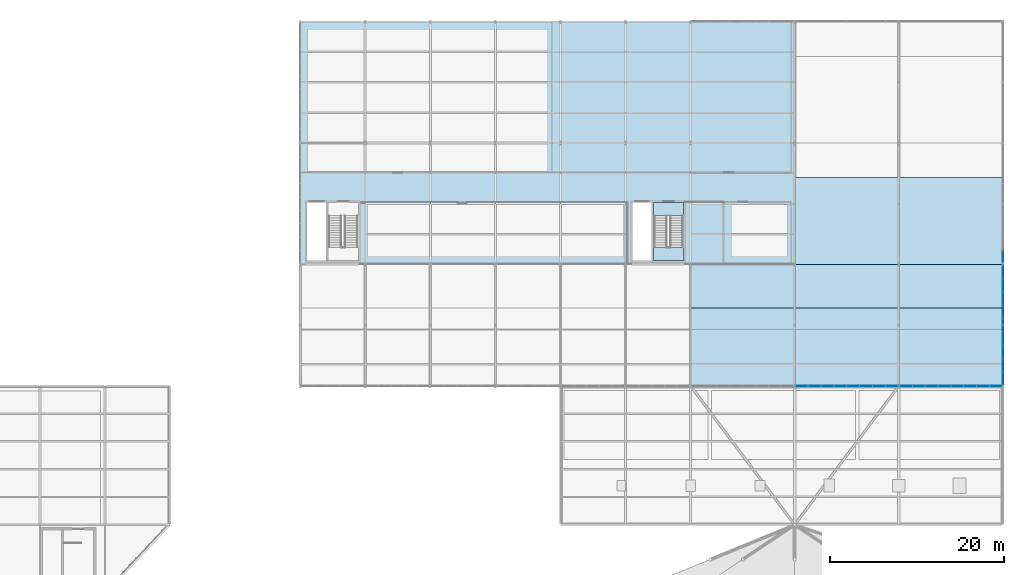
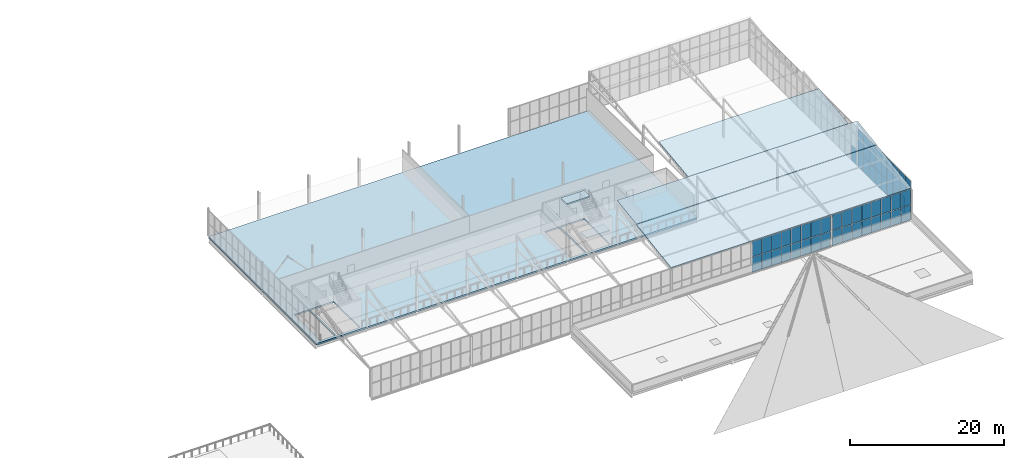
# One storey, part 89 of 104: 61 plates, 5 slabs, 5 elements without a shape of their own.
"""IFC4 building model written with IfcOpenShell, lengths in metres."""

from ifc_helpers import new_model, si_unit, direction, frame, origin, origin_2d, place, context, subcontext, project, spatial, polyline, rectangle, outline, extrude, material, layer, layer_set, type_object, element, aggregate, save


model = new_model("IFC4")

# Units and contexts
model_context = context("Model", 3, precision=1e-05, world=origin(), true_north=direction((0.0, 1.0)))
body_context = subcontext(model_context, "Body", "Model", "MODEL_VIEW")
ifc_project = project(units=[si_unit("LENGTHUNIT", "METRE"), si_unit("AREAUNIT", "SQUARE_METRE"), si_unit("VOLUMEUNIT", "CUBIC_METRE"), si_unit("PLANEANGLEUNIT", "RADIAN"), si_unit("MASSUNIT", "GRAM", prefix="KILO")], contexts=[model_context])

# Site, building, storey
site_placement = place(None, origin())
site = spatial("IfcSite", under=ifc_project, at=site_placement, CompositionType="ELEMENT")
building_placement = place(site_placement, origin())
building = spatial("IfcBuilding", under=site, at=building_placement, Name="Solvenia Promenade Tram Depot", CompositionType="ELEMENT")
storey_placement = place(building_placement, frame((0.0, 0.0, 9.0)))
storey = spatial("IfcBuildingStorey", under=building, at=storey_placement, Name="L02", CompositionType="ELEMENT", Elevation=9.0)

# Curtain wall, plates
ifc_material_1 = material(Name="Anodized aluminium AW-6063 T6", Category="aluminium")
ifc_layer_1 = layer(ifc_material_1, 0.080078125, Name="Anodized aluminium AW-6063 T6", Category="aluminium")
ifc_layer_set_1 = layer_set([ifc_layer_1], Name="Anodized aluminium AW-6063 T6")
curtain_wall_type = type_object("IfcCurtainWallType", Name="CW-Clerest-1500", PredefinedType="NOTDEFINED", material=ifc_layer_set_1)
curtain_wall_1_placement = place(storey_placement, origin())
curtain_wall_1 = element("IfcCurtainWall", 1, at=curtain_wall_1_placement, inside=storey, type_object=curtain_wall_type, Name="Curtain Wall CW-V2S-L2-08", PredefinedType="NOTDEFINED")
ifc_material_2 = material(Name="Double low-e argon insulated glass", Category="glass")
ifc_layer_2 = layer(ifc_material_2, 0.031982421875, Name="Double low-e argon insulated glass", Category="glass")
ifc_layer_set_2 = layer_set([ifc_layer_2], Name="Double low-e argon insulated glass")
plate_type_1 = type_object("IfcPlateType", Name="CWP-Panel-2", PredefinedType="CURTAIN_PANEL", material=ifc_layer_set_2)
plate_1_placement = place(storey_placement, frame((162.833740234375, 24.0, -0.244873046875), z_axis=(0.0, 0.0, 1.0), x_axis=(1.0, 0.0, 0.0)))
plate_1 = element("IfcPlate", 2, at=plate_1_placement, type_object=plate_type_1, Name="CW-4 panel 1.1", PredefinedType="CURTAIN_PANEL", context=body_context, shape_type="SweptSolid", body=[
    extrude(rectangle(XDim=1.3974609375, YDim=0.031982421875, at=origin_2d()), origin(), (0.0, 0.0, 1.0), 2.41748046875),
])
plate_2_placement = place(storey_placement, frame((162.833740234375, 24.0, 2.2275390625), z_axis=(0.0, 0.0, 1.0), x_axis=(1.0, 0.0, 0.0)))
plate_2 = element("IfcPlate", 3, at=plate_2_placement, type_object=plate_type_1, Name="CW-4 panel 1.2", PredefinedType="CURTAIN_PANEL", context=body_context, shape_type="SweptSolid", body=[
    extrude(rectangle(XDim=1.3974609375, YDim=0.031982421875, at=origin_2d()), origin(), (0.0, 0.0, 1.0), 2.41748046875),
])
plate_3_placement = place(storey_placement, frame((164.300048828125, 24.0, -0.244873046875), z_axis=(0.0, 0.0, 1.0), x_axis=(1.0, 0.0, 0.0)))
plate_3 = element("IfcPlate", 4, at=plate_3_placement, type_object=plate_type_1, Name="CW-4 panel 2.1", PredefinedType="CURTAIN_PANEL", context=body_context, shape_type="SweptSolid", body=[
    extrude(rectangle(XDim=1.425048828125, YDim=0.031982421875, at=origin_2d()), origin(), (0.0, 0.0, 1.0), 2.41748046875),
])
plate_4_placement = place(storey_placement, frame((164.300048828125, 24.0, 2.2275390625), z_axis=(0.0, 0.0, 1.0), x_axis=(1.0, 0.0, 0.0)))
plate_4 = element("IfcPlate", 5, at=plate_4_placement, type_object=plate_type_1, Name="CW-4 panel 2.2", PredefinedType="CURTAIN_PANEL", context=body_context, shape_type="SweptSolid", body=[
    extrude(rectangle(XDim=1.425048828125, YDim=0.031982421875, at=origin_2d()), origin(), (0.0, 0.0, 1.0), 2.41748046875),
])
plate_5_placement = place(storey_placement, frame((165.780029296875, 24.0, -0.244873046875), z_axis=(0.0, 0.0, 1.0), x_axis=(1.0, 0.0, 0.0)))
plate_5 = element("IfcPlate", 6, at=plate_5_placement, type_object=plate_type_1, Name="CW-4 panel 3.1", PredefinedType="CURTAIN_PANEL", context=body_context, shape_type="SweptSolid", body=[
    extrude(rectangle(XDim=1.425048828125, YDim=0.031982421875, at=origin_2d()), origin(), (0.0, 0.0, 1.0), 2.41748046875),
])
plate_6_placement = place(storey_placement, frame((165.780029296875, 24.0, 2.2275390625), z_axis=(0.0, 0.0, 1.0), x_axis=(1.0, 0.0, 0.0)))
plate_6 = element("IfcPlate", 7, at=plate_6_placement, type_object=plate_type_1, Name="CW-4 panel 3.2", PredefinedType="CURTAIN_PANEL", context=body_context, shape_type="SweptSolid", body=[
    extrude(rectangle(XDim=1.425048828125, YDim=0.031982421875, at=origin_2d()), origin(), (0.0, 0.0, 1.0), 2.41748046875),
])
plate_7_placement = place(storey_placement, frame((167.260009765625, 24.0, -0.244873046875), z_axis=(0.0, 0.0, 1.0), x_axis=(1.0, 0.0, 0.0)))
plate_7 = element("IfcPlate", 8, at=plate_7_placement, type_object=plate_type_1, Name="CW-4 panel 4.1", PredefinedType="CURTAIN_PANEL", context=body_context, shape_type="SweptSolid", body=[
    extrude(rectangle(XDim=1.425048828125, YDim=0.031982421875, at=origin_2d()), origin(), (0.0, 0.0, 1.0), 2.41748046875),
])
plate_8_placement = place(storey_placement, frame((167.260009765625, 24.0, 2.2275390625), z_axis=(0.0, 0.0, 1.0), x_axis=(1.0, 0.0, 0.0)))
plate_8 = element("IfcPlate", 9, at=plate_8_placement, type_object=plate_type_1, Name="CW-4 panel 4.2", PredefinedType="CURTAIN_PANEL", context=body_context, shape_type="SweptSolid", body=[
    extrude(rectangle(XDim=1.425048828125, YDim=0.031982421875, at=origin_2d()), origin(), (0.0, 0.0, 1.0), 2.41748046875),
])
plate_9_placement = place(storey_placement, frame((168.739990234375, 24.0, -0.244873046875), z_axis=(0.0, 0.0, 1.0), x_axis=(1.0, 0.0, 0.0)))
plate_9 = element("IfcPlate", 10, at=plate_9_placement, type_object=plate_type_1, Name="CW-4 panel 5.1", PredefinedType="CURTAIN_PANEL", context=body_context, shape_type="SweptSolid", body=[
    extrude(rectangle(XDim=1.425048828125, YDim=0.031982421875, at=origin_2d()), origin(), (0.0, 0.0, 1.0), 2.41748046875),
])
plate_10_placement = place(storey_placement, frame((168.739990234375, 24.0, 2.2275390625), z_axis=(0.0, 0.0, 1.0), x_axis=(1.0, 0.0, 0.0)))
plate_10 = element("IfcPlate", 11, at=plate_10_placement, type_object=plate_type_1, Name="CW-4 panel 5.2", PredefinedType="CURTAIN_PANEL", context=body_context, shape_type="SweptSolid", body=[
    extrude(rectangle(XDim=1.425048828125, YDim=0.031982421875, at=origin_2d()), origin(), (0.0, 0.0, 1.0), 2.41748046875),
])
plate_11_placement = place(storey_placement, frame((170.219970703125, 24.0, -0.244873046875), z_axis=(0.0, 0.0, 1.0), x_axis=(1.0, 0.0, 0.0)))
plate_11 = element("IfcPlate", 12, at=plate_11_placement, type_object=plate_type_1, Name="CW-4 panel 6.1", PredefinedType="CURTAIN_PANEL", context=body_context, shape_type="SweptSolid", body=[
    extrude(rectangle(XDim=1.425048828125, YDim=0.031982421875, at=origin_2d()), origin(), (0.0, 0.0, 1.0), 2.41748046875),
])
plate_12_placement = place(storey_placement, frame((170.219970703125, 24.0, 2.2275390625), z_axis=(0.0, 0.0, 1.0), x_axis=(1.0, 0.0, 0.0)))
plate_12 = element("IfcPlate", 13, at=plate_12_placement, type_object=plate_type_1, Name="CW-4 panel 6.2", PredefinedType="CURTAIN_PANEL", context=body_context, shape_type="SweptSolid", body=[
    extrude(rectangle(XDim=1.425048828125, YDim=0.031982421875, at=origin_2d()), origin(), (0.0, 0.0, 1.0), 2.41748046875),
])
plate_13_placement = place(storey_placement, frame((171.699951171875, 24.0, -0.244873046875), z_axis=(0.0, 0.0, 1.0), x_axis=(1.0, 0.0, 0.0)))
plate_13 = element("IfcPlate", 14, at=plate_13_placement, type_object=plate_type_1, Name="CW-4 panel 7.1", PredefinedType="CURTAIN_PANEL", context=body_context, shape_type="SweptSolid", body=[
    extrude(rectangle(XDim=1.425048828125, YDim=0.031982421875, at=origin_2d()), origin(), (0.0, 0.0, 1.0), 2.41748046875),
])
plate_14_placement = place(storey_placement, frame((171.699951171875, 24.0, 2.2275390625), z_axis=(0.0, 0.0, 1.0), x_axis=(1.0, 0.0, 0.0)))
plate_14 = element("IfcPlate", 15, at=plate_14_placement, type_object=plate_type_1, Name="CW-4 panel 7.2", PredefinedType="CURTAIN_PANEL", context=body_context, shape_type="SweptSolid", body=[
    extrude(rectangle(XDim=1.425048828125, YDim=0.031982421875, at=origin_2d()), origin(), (0.0, 0.0, 1.0), 2.41748046875),
])
plate_15_placement = place(storey_placement, frame((173.166259765625, 24.0, -0.244873046875), z_axis=(0.0, 0.0, 1.0), x_axis=(1.0, 0.0, 0.0)))
plate_15 = element("IfcPlate", 16, at=plate_15_placement, type_object=plate_type_1, Name="CW-4 panel 8.1", PredefinedType="CURTAIN_PANEL", context=body_context, shape_type="SweptSolid", body=[
    extrude(rectangle(XDim=1.3974609375, YDim=0.031982421875, at=origin_2d()), origin(), (0.0, 0.0, 1.0), 2.41748046875),
])
plate_16_placement = place(storey_placement, frame((173.166259765625, 24.0, 2.2275390625), z_axis=(0.0, 0.0, 1.0), x_axis=(1.0, 0.0, 0.0)))
plate_16 = element("IfcPlate", 17, at=plate_16_placement, type_object=plate_type_1, Name="CW-4 panel 8.2", PredefinedType="CURTAIN_PANEL", context=body_context, shape_type="SweptSolid", body=[
    extrude(rectangle(XDim=1.3974609375, YDim=0.031982421875, at=origin_2d()), origin(), (0.0, 0.0, 1.0), 2.41748046875),
])
aggregate(curtain_wall_1, [plate_1, plate_2, plate_3, plate_4, plate_5, plate_6, plate_7, plate_8, plate_9, plate_10, plate_11, plate_12, plate_13, plate_14, plate_15, plate_16])

curtain_wall_2_placement = place(storey_placement, origin())
curtain_wall_2 = element("IfcCurtainWall", 18, at=curtain_wall_2_placement, inside=storey, type_object=curtain_wall_type, Name="Curtain Wall CW-V2S-L2-09", PredefinedType="NOTDEFINED")
plate_17_placement = place(storey_placement, frame((174.833740234375, 24.0, -0.244873046875), z_axis=(0.0, 0.0, 1.0), x_axis=(1.0, 0.0, 0.0)))
plate_17 = element("IfcPlate", 19, at=plate_17_placement, type_object=plate_type_1, Name="CW-4 panel 1.1", PredefinedType="CURTAIN_PANEL", context=body_context, shape_type="SweptSolid", body=[
    extrude(rectangle(XDim=1.3974609375, YDim=0.031982421875, at=origin_2d()), origin(), (0.0, 0.0, 1.0), 2.41748046875),
])
plate_18_placement = place(storey_placement, frame((174.833740234375, 24.0, 2.2275390625), z_axis=(0.0, 0.0, 1.0), x_axis=(1.0, 0.0, 0.0)))
plate_18 = element("IfcPlate", 20, at=plate_18_placement, type_object=plate_type_1, Name="CW-4 panel 1.2", PredefinedType="CURTAIN_PANEL", context=body_context, shape_type="SweptSolid", body=[
    extrude(rectangle(XDim=1.3974609375, YDim=0.031982421875, at=origin_2d()), origin(), (0.0, 0.0, 1.0), 2.41748046875),
])
plate_19_placement = place(storey_placement, frame((176.300048828125, 24.0, -0.244873046875), z_axis=(0.0, 0.0, 1.0), x_axis=(1.0, 0.0, 0.0)))
plate_19 = element("IfcPlate", 21, at=plate_19_placement, type_object=plate_type_1, Name="CW-4 panel 2.1", PredefinedType="CURTAIN_PANEL", context=body_context, shape_type="SweptSolid", body=[
    extrude(rectangle(XDim=1.425048828125, YDim=0.031982421875, at=origin_2d()), origin(), (0.0, 0.0, 1.0), 2.41748046875),
])
plate_20_placement = place(storey_placement, frame((176.300048828125, 24.0, 2.2275390625), z_axis=(0.0, 0.0, 1.0), x_axis=(1.0, 0.0, 0.0)))
plate_20 = element("IfcPlate", 22, at=plate_20_placement, type_object=plate_type_1, Name="CW-4 panel 2.2", PredefinedType="CURTAIN_PANEL", context=body_context, shape_type="SweptSolid", body=[
    extrude(rectangle(XDim=1.425048828125, YDim=0.031982421875, at=origin_2d()), origin(), (0.0, 0.0, 1.0), 2.41748046875),
])
plate_21_placement = place(storey_placement, frame((177.780029296875, 24.0, -0.244873046875), z_axis=(0.0, 0.0, 1.0), x_axis=(1.0, 0.0, 0.0)))
plate_21 = element("IfcPlate", 23, at=plate_21_placement, type_object=plate_type_1, Name="CW-4 panel 3.1", PredefinedType="CURTAIN_PANEL", context=body_context, shape_type="SweptSolid", body=[
    extrude(rectangle(XDim=1.425048828125, YDim=0.031982421875, at=origin_2d()), origin(), (0.0, 0.0, 1.0), 2.41748046875),
])
plate_22_placement = place(storey_placement, frame((177.780029296875, 24.0, 2.2275390625), z_axis=(0.0, 0.0, 1.0), x_axis=(1.0, 0.0, 0.0)))
plate_22 = element("IfcPlate", 24, at=plate_22_placement, type_object=plate_type_1, Name="CW-4 panel 3.2", PredefinedType="CURTAIN_PANEL", context=body_context, shape_type="SweptSolid", body=[
    extrude(rectangle(XDim=1.425048828125, YDim=0.031982421875, at=origin_2d()), origin(), (0.0, 0.0, 1.0), 2.41748046875),
])
plate_23_placement = place(storey_placement, frame((179.260009765625, 24.0, -0.244873046875), z_axis=(0.0, 0.0, 1.0), x_axis=(1.0, 0.0, 0.0)))
plate_23 = element("IfcPlate", 25, at=plate_23_placement, type_object=plate_type_1, Name="CW-4 panel 4.1", PredefinedType="CURTAIN_PANEL", context=body_context, shape_type="SweptSolid", body=[
    extrude(rectangle(XDim=1.425048828125, YDim=0.031982421875, at=origin_2d()), origin(), (0.0, 0.0, 1.0), 2.41748046875),
])
plate_24_placement = place(storey_placement, frame((179.260009765625, 24.0, 2.2275390625), z_axis=(0.0, 0.0, 1.0), x_axis=(1.0, 0.0, 0.0)))
plate_24 = element("IfcPlate", 26, at=plate_24_placement, type_object=plate_type_1, Name="CW-4 panel 4.2", PredefinedType="CURTAIN_PANEL", context=body_context, shape_type="SweptSolid", body=[
    extrude(rectangle(XDim=1.425048828125, YDim=0.031982421875, at=origin_2d()), origin(), (0.0, 0.0, 1.0), 2.41748046875),
])
plate_25_placement = place(storey_placement, frame((180.739990234375, 24.0, -0.244873046875), z_axis=(0.0, 0.0, 1.0), x_axis=(1.0, 0.0, 0.0)))
plate_25 = element("IfcPlate", 27, at=plate_25_placement, type_object=plate_type_1, Name="CW-4 panel 5.1", PredefinedType="CURTAIN_PANEL", context=body_context, shape_type="SweptSolid", body=[
    extrude(rectangle(XDim=1.425048828125, YDim=0.031982421875, at=origin_2d()), origin(), (0.0, 0.0, 1.0), 2.41748046875),
])
plate_26_placement = place(storey_placement, frame((180.739990234375, 24.0, 2.2275390625), z_axis=(0.0, 0.0, 1.0), x_axis=(1.0, 0.0, 0.0)))
plate_26 = element("IfcPlate", 28, at=plate_26_placement, type_object=plate_type_1, Name="CW-4 panel 5.2", PredefinedType="CURTAIN_PANEL", context=body_context, shape_type="SweptSolid", body=[
    extrude(rectangle(XDim=1.425048828125, YDim=0.031982421875, at=origin_2d()), origin(), (0.0, 0.0, 1.0), 2.41748046875),
])
plate_27_placement = place(storey_placement, frame((182.219970703125, 24.0, -0.244873046875), z_axis=(0.0, 0.0, 1.0), x_axis=(1.0, 0.0, 0.0)))
plate_27 = element("IfcPlate", 29, at=plate_27_placement, type_object=plate_type_1, Name="CW-4 panel 6.1", PredefinedType="CURTAIN_PANEL", context=body_context, shape_type="SweptSolid", body=[
    extrude(rectangle(XDim=1.425048828125, YDim=0.031982421875, at=origin_2d()), origin(), (0.0, 0.0, 1.0), 2.41748046875),
])
plate_28_placement = place(storey_placement, frame((182.219970703125, 24.0, 2.2275390625), z_axis=(0.0, 0.0, 1.0), x_axis=(1.0, 0.0, 0.0)))
plate_28 = element("IfcPlate", 30, at=plate_28_placement, type_object=plate_type_1, Name="CW-4 panel 6.2", PredefinedType="CURTAIN_PANEL", context=body_context, shape_type="SweptSolid", body=[
    extrude(rectangle(XDim=1.425048828125, YDim=0.031982421875, at=origin_2d()), origin(), (0.0, 0.0, 1.0), 2.41748046875),
])
plate_29_placement = place(storey_placement, frame((183.699951171875, 24.0, -0.244873046875), z_axis=(0.0, 0.0, 1.0), x_axis=(1.0, 0.0, 0.0)))
plate_29 = element("IfcPlate", 31, at=plate_29_placement, type_object=plate_type_1, Name="CW-4 panel 7.1", PredefinedType="CURTAIN_PANEL", context=body_context, shape_type="SweptSolid", body=[
    extrude(rectangle(XDim=1.425048828125, YDim=0.031982421875, at=origin_2d()), origin(), (0.0, 0.0, 1.0), 2.41748046875),
])
plate_30_placement = place(storey_placement, frame((183.699951171875, 24.0, 2.2275390625), z_axis=(0.0, 0.0, 1.0), x_axis=(1.0, 0.0, 0.0)))
plate_30 = element("IfcPlate", 32, at=plate_30_placement, type_object=plate_type_1, Name="CW-4 panel 7.2", PredefinedType="CURTAIN_PANEL", context=body_context, shape_type="SweptSolid", body=[
    extrude(rectangle(XDim=1.425048828125, YDim=0.031982421875, at=origin_2d()), origin(), (0.0, 0.0, 1.0), 2.41748046875),
])
plate_31_placement = place(storey_placement, frame((185.166259765625, 24.0, -0.244873046875), z_axis=(0.0, 0.0, 1.0), x_axis=(1.0, 0.0, 0.0)))
plate_31 = element("IfcPlate", 33, at=plate_31_placement, type_object=plate_type_1, Name="CW-4 panel 8.1", PredefinedType="CURTAIN_PANEL", context=body_context, shape_type="SweptSolid", body=[
    extrude(rectangle(XDim=1.3974609375, YDim=0.031982421875, at=origin_2d()), origin(), (0.0, 0.0, 1.0), 2.41748046875),
])
plate_32_placement = place(storey_placement, frame((185.166259765625, 24.0, 2.2275390625), z_axis=(0.0, 0.0, 1.0), x_axis=(1.0, 0.0, 0.0)))
plate_32 = element("IfcPlate", 34, at=plate_32_placement, type_object=plate_type_1, Name="CW-4 panel 8.2", PredefinedType="CURTAIN_PANEL", context=body_context, shape_type="SweptSolid", body=[
    extrude(rectangle(XDim=1.3974609375, YDim=0.031982421875, at=origin_2d()), origin(), (0.0, 0.0, 1.0), 2.41748046875),
])
aggregate(curtain_wall_2, [plate_17, plate_18, plate_19, plate_20, plate_21, plate_22, plate_23, plate_24, plate_25, plate_26, plate_27, plate_28, plate_29, plate_30, plate_31, plate_32])

curtain_wall_3_placement = place(storey_placement, origin())
curtain_wall_3 = element("IfcCurtainWall", 35, at=curtain_wall_3_placement, inside=storey, type_object=curtain_wall_type, Name="Curtain Wall CW-V2E-L2-1", PredefinedType="NOTDEFINED")
plate_33_placement = place(storey_placement, frame((186.0, 24.862548828125, -0.195068359375), z_axis=(0.0, 0.0, 1.0), x_axis=(0.0, 1.0, 0.0)))
plate_33 = element("IfcPlate", 36, at=plate_33_placement, type_object=plate_type_1, Name="CW-4 panel 1.1", PredefinedType="CURTAIN_PANEL", context=body_context, shape_type="SweptSolid", body=[
    extrude(rectangle(XDim=1.455322265625, YDim=0.031982421875, at=origin_2d()), origin(), (0.0, 0.0, 1.0), 2.41748046875),
])
plate_34_placement = place(storey_placement, frame((186.0, 24.862548828125, 2.277587890625), z_axis=(0.0, 0.0, 1.0), x_axis=(0.0, 1.0, 0.0)))
plate_34 = element("IfcPlate", 37, at=plate_34_placement, type_object=plate_type_1, Name="CW-4 panel 1.2", PredefinedType="CURTAIN_PANEL", context=body_context, shape_type="SweptSolid", body=[
    extrude(rectangle(XDim=1.455322265625, YDim=0.031982421875, at=origin_2d()), origin(), (0.0, 0.0, 1.0), 2.14501953125),
])
plate_35_placement = place(storey_placement, frame((186.0, 24.862548828125, 4.4775390625), z_axis=(0.0, 0.0, 1.0), x_axis=(0.0, 1.0, 0.0)))
plate_35 = element("IfcPlate", 38, at=plate_35_placement, type_object=plate_type_1, Name="CW-4 panel 1.3", PredefinedType="CURTAIN_PANEL", context=body_context, shape_type="SweptSolid", body=[
    extrude(rectangle(XDim=1.455322265625, YDim=0.031982421875, at=origin_2d()), origin(), (0.0, 0.0, 1.0), 1.3173828125),
])
plate_36_placement = place(storey_placement, frame((186.0, 26.38671875, -0.195068359375), z_axis=(0.0, 0.0, 1.0), x_axis=(0.0, 1.0, 0.0)))
plate_36 = element("IfcPlate", 39, at=plate_36_placement, type_object=plate_type_1, Name="CW-4 panel 2.1", PredefinedType="CURTAIN_PANEL", context=body_context, shape_type="SweptSolid", body=[
    extrude(rectangle(XDim=1.482666015625, YDim=0.031982421875, at=origin_2d()), origin(), (0.0, 0.0, 1.0), 2.41748046875),
])
plate_37_placement = place(storey_placement, frame((186.0, 26.38671875, 2.277587890625), z_axis=(0.0, 0.0, 1.0), x_axis=(0.0, 1.0, 0.0)))
plate_37 = element("IfcPlate", 40, at=plate_37_placement, type_object=plate_type_1, Name="CW-4 panel 2.2", PredefinedType="CURTAIN_PANEL", context=body_context, shape_type="SweptSolid", body=[
    extrude(rectangle(XDim=1.482666015625, YDim=0.031982421875, at=origin_2d()), origin(), (0.0, 0.0, 1.0), 2.14501953125),
])
plate_38_placement = place(storey_placement, frame((186.0, 26.38671875, 4.4775390625), z_axis=(0.0, 0.0, 1.0), x_axis=(0.0, 1.0, 0.0)))
plate_38 = element("IfcPlate", 41, at=plate_38_placement, type_object=plate_type_1, Name="CW-4 panel 2.3", PredefinedType="CURTAIN_PANEL", context=body_context, shape_type="SweptSolid", body=[
    extrude(rectangle(XDim=1.482666015625, YDim=0.031982421875, at=origin_2d()), origin(), (0.0, 0.0, 1.0), 1.3173828125),
])
plate_39_placement = place(storey_placement, frame((186.0, 27.924560546875, -0.195068359375), z_axis=(0.0, 0.0, 1.0), x_axis=(0.0, 1.0, 0.0)))
plate_39 = element("IfcPlate", 42, at=plate_39_placement, type_object=plate_type_1, Name="CW-4 panel 3.1", PredefinedType="CURTAIN_PANEL", context=body_context, shape_type="SweptSolid", body=[
    extrude(rectangle(XDim=1.482666015625, YDim=0.031982421875, at=origin_2d()), origin(), (0.0, 0.0, 1.0), 2.41748046875),
])
plate_40_placement = place(storey_placement, frame((186.0, 27.924560546875, 2.277587890625), z_axis=(0.0, 0.0, 1.0), x_axis=(0.0, 1.0, 0.0)))
plate_40 = element("IfcPlate", 43, at=plate_40_placement, type_object=plate_type_1, Name="CW-4 panel 3.2", PredefinedType="CURTAIN_PANEL", context=body_context, shape_type="SweptSolid", body=[
    extrude(rectangle(XDim=1.482666015625, YDim=0.031982421875, at=origin_2d()), origin(), (0.0, 0.0, 1.0), 2.14501953125),
])
plate_41_placement = place(storey_placement, frame((186.0, 27.924560546875, 4.4775390625), z_axis=(0.0, 0.0, 1.0), x_axis=(0.0, 1.0, 0.0)))
plate_41 = element("IfcPlate", 44, at=plate_41_placement, type_object=plate_type_1, Name="CW-4 panel 3.3", PredefinedType="CURTAIN_PANEL", context=body_context, shape_type="SweptSolid", body=[
    extrude(rectangle(XDim=1.482666015625, YDim=0.031982421875, at=origin_2d()), origin(), (0.0, 0.0, 1.0), 1.3173828125),
])
plate_42_placement = place(storey_placement, frame((186.0, 29.462158203125, -0.195068359375), z_axis=(0.0, 0.0, 1.0), x_axis=(0.0, 1.0, 0.0)))
plate_42 = element("IfcPlate", 45, at=plate_42_placement, type_object=plate_type_1, Name="CW-4 panel 4.1", PredefinedType="CURTAIN_PANEL", context=body_context, shape_type="SweptSolid", body=[
    extrude(rectangle(XDim=1.482666015625, YDim=0.031982421875, at=origin_2d()), origin(), (0.0, 0.0, 1.0), 2.41748046875),
])
plate_43_placement = place(storey_placement, frame((186.0, 29.462158203125, 2.277587890625), z_axis=(0.0, 0.0, 1.0), x_axis=(0.0, 1.0, 0.0)))
plate_43 = element("IfcPlate", 46, at=plate_43_placement, type_object=plate_type_1, Name="CW-4 panel 4.2", PredefinedType="CURTAIN_PANEL", context=body_context, shape_type="SweptSolid", body=[
    extrude(rectangle(XDim=1.482666015625, YDim=0.031982421875, at=origin_2d()), origin(), (0.0, 0.0, 1.0), 2.14501953125),
])
plate_44_placement = place(storey_placement, frame((186.0, 29.462158203125, 4.4775390625), z_axis=(0.0, 0.0, 1.0), x_axis=(0.0, 1.0, 0.0)))
plate_44 = element("IfcPlate", 47, at=plate_44_placement, type_object=plate_type_1, Name="CW-4 panel 4.3", PredefinedType="CURTAIN_PANEL", context=body_context, shape_type="SweptSolid", body=[
    extrude(rectangle(XDim=1.482666015625, YDim=0.031982421875, at=origin_2d()), origin(), (0.0, 0.0, 1.0), 1.3173828125),
])
plate_45_placement = place(storey_placement, frame((186.0, 31.0, -0.195068359375), z_axis=(0.0, 0.0, 1.0), x_axis=(0.0, 1.0, 0.0)))
plate_45 = element("IfcPlate", 48, at=plate_45_placement, type_object=plate_type_1, Name="CW-4 panel 5.1", PredefinedType="CURTAIN_PANEL", context=body_context, shape_type="SweptSolid", body=[
    extrude(rectangle(XDim=1.482666015625, YDim=0.031982421875, at=origin_2d()), origin(), (0.0, 0.0, 1.0), 2.41748046875),
])
plate_46_placement = place(storey_placement, frame((186.0, 31.0, 2.277587890625), z_axis=(0.0, 0.0, 1.0), x_axis=(0.0, 1.0, 0.0)))
plate_46 = element("IfcPlate", 49, at=plate_46_placement, type_object=plate_type_1, Name="CW-4 panel 5.2", PredefinedType="CURTAIN_PANEL", context=body_context, shape_type="SweptSolid", body=[
    extrude(rectangle(XDim=1.482666015625, YDim=0.031982421875, at=origin_2d()), origin(), (0.0, 0.0, 1.0), 2.14501953125),
])
plate_47_placement = place(storey_placement, frame((186.0, 31.0, 4.4775390625), z_axis=(0.0, 0.0, 1.0), x_axis=(0.0, 1.0, 0.0)))
plate_47 = element("IfcPlate", 50, at=plate_47_placement, type_object=plate_type_1, Name="CW-4 panel 5.3", PredefinedType="CURTAIN_PANEL", context=body_context, shape_type="SweptSolid", body=[
    extrude(rectangle(XDim=1.482666015625, YDim=0.031982421875, at=origin_2d()), origin(), (0.0, 0.0, 1.0), 1.3173828125),
])
plate_48_placement = place(storey_placement, frame((186.0, 32.537841796875, -0.195068359375), z_axis=(0.0, 0.0, 1.0), x_axis=(0.0, 1.0, 0.0)))
plate_48 = element("IfcPlate", 51, at=plate_48_placement, type_object=plate_type_1, Name="CW-4 panel 6.1", PredefinedType="CURTAIN_PANEL", context=body_context, shape_type="SweptSolid", body=[
    extrude(rectangle(XDim=1.482666015625, YDim=0.031982421875, at=origin_2d()), origin(), (0.0, 0.0, 1.0), 2.41748046875),
])
plate_49_placement = place(storey_placement, frame((186.0, 32.537841796875, 2.277587890625), z_axis=(0.0, 0.0, 1.0), x_axis=(0.0, 1.0, 0.0)))
plate_49 = element("IfcPlate", 52, at=plate_49_placement, type_object=plate_type_1, Name="CW-4 panel 6.2", PredefinedType="CURTAIN_PANEL", context=body_context, shape_type="SweptSolid", body=[
    extrude(rectangle(XDim=1.482666015625, YDim=0.031982421875, at=origin_2d()), origin(), (0.0, 0.0, 1.0), 2.14501953125),
])
plate_50_placement = place(storey_placement, frame((186.0, 32.537841796875, 4.4775390625), z_axis=(0.0, 0.0, 1.0), x_axis=(0.0, 1.0, 0.0)))
plate_50 = element("IfcPlate", 53, at=plate_50_placement, type_object=plate_type_1, Name="CW-4 panel 6.3", PredefinedType="CURTAIN_PANEL", context=body_context, shape_type="SweptSolid", body=[
    extrude(rectangle(XDim=1.482666015625, YDim=0.031982421875, at=origin_2d()), origin(), (0.0, 0.0, 1.0), 1.3173828125),
])
plate_51_placement = place(storey_placement, frame((186.0, 34.075439453125, -0.195068359375), z_axis=(0.0, 0.0, 1.0), x_axis=(0.0, 1.0, 0.0)))
plate_51 = element("IfcPlate", 54, at=plate_51_placement, type_object=plate_type_1, Name="CW-4 panel 7.1", PredefinedType="CURTAIN_PANEL", context=body_context, shape_type="SweptSolid", body=[
    extrude(rectangle(XDim=1.482666015625, YDim=0.031982421875, at=origin_2d()), origin(), (0.0, 0.0, 1.0), 2.41748046875),
])
plate_52_placement = place(storey_placement, frame((186.0, 34.075439453125, 2.277587890625), z_axis=(0.0, 0.0, 1.0), x_axis=(0.0, 1.0, 0.0)))
plate_52 = element("IfcPlate", 55, at=plate_52_placement, type_object=plate_type_1, Name="CW-4 panel 7.2", PredefinedType="CURTAIN_PANEL", context=body_context, shape_type="SweptSolid", body=[
    extrude(rectangle(XDim=1.482666015625, YDim=0.031982421875, at=origin_2d()), origin(), (0.0, 0.0, 1.0), 2.14501953125),
])
plate_53_placement = place(storey_placement, frame((186.0, 34.075439453125, 4.4775390625), z_axis=(0.0, 0.0, 1.0), x_axis=(0.0, 1.0, 0.0)))
plate_53 = element("IfcPlate", 56, at=plate_53_placement, type_object=plate_type_1, Name="CW-4 panel 7.3", PredefinedType="CURTAIN_PANEL", context=body_context, shape_type="SweptSolid", body=[
    extrude(rectangle(XDim=1.482666015625, YDim=0.031982421875, at=origin_2d()), origin(), (0.0, 0.0, 1.0), 1.3173828125),
])
plate_54_placement = place(storey_placement, frame((186.0, 35.61328125, -0.195068359375), z_axis=(0.0, 0.0, 1.0), x_axis=(0.0, 1.0, 0.0)))
plate_54 = element("IfcPlate", 57, at=plate_54_placement, type_object=plate_type_1, Name="CW-4 panel 8.1", PredefinedType="CURTAIN_PANEL", context=body_context, shape_type="SweptSolid", body=[
    extrude(rectangle(XDim=1.482666015625, YDim=0.031982421875, at=origin_2d()), origin(), (0.0, 0.0, 1.0), 2.41748046875),
])
plate_55_placement = place(storey_placement, frame((186.0, 35.61328125, 2.277587890625), z_axis=(0.0, 0.0, 1.0), x_axis=(0.0, 1.0, 0.0)))
plate_55 = element("IfcPlate", 58, at=plate_55_placement, type_object=plate_type_1, Name="CW-4 panel 8.2", PredefinedType="CURTAIN_PANEL", context=body_context, shape_type="SweptSolid", body=[
    extrude(rectangle(XDim=1.482666015625, YDim=0.031982421875, at=origin_2d()), origin(), (0.0, 0.0, 1.0), 2.14501953125),
])
plate_56_placement = place(storey_placement, frame((186.0, 35.61328125, 4.4775390625), z_axis=(0.0, 0.0, 1.0), x_axis=(0.0, 1.0, 0.0)))
plate_56 = element("IfcPlate", 59, at=plate_56_placement, type_object=plate_type_1, Name="CW-4 panel 8.3", PredefinedType="CURTAIN_PANEL", context=body_context, shape_type="SweptSolid", body=[
    extrude(rectangle(XDim=1.482666015625, YDim=0.031982421875, at=origin_2d()), origin(), (0.0, 0.0, 1.0), 1.3173828125),
])
plate_57_placement = place(storey_placement, frame((186.0, 37.137451171875, -0.195068359375), z_axis=(0.0, 0.0, 1.0), x_axis=(0.0, 1.0, 0.0)))
plate_57 = element("IfcPlate", 60, at=plate_57_placement, type_object=plate_type_1, Name="CW-4 panel 9.1", PredefinedType="CURTAIN_PANEL", context=body_context, shape_type="SweptSolid", body=[
    extrude(rectangle(XDim=1.455322265625, YDim=0.031982421875, at=origin_2d()), origin(), (0.0, 0.0, 1.0), 2.41748046875),
])
plate_58_placement = place(storey_placement, frame((186.0, 37.137451171875, 2.277587890625), z_axis=(0.0, 0.0, 1.0), x_axis=(0.0, 1.0, 0.0)))
plate_58 = element("IfcPlate", 61, at=plate_58_placement, type_object=plate_type_1, Name="CW-4 panel 9.2", PredefinedType="CURTAIN_PANEL", context=body_context, shape_type="SweptSolid", body=[
    extrude(rectangle(XDim=1.455322265625, YDim=0.031982421875, at=origin_2d()), origin(), (0.0, 0.0, 1.0), 2.14501953125),
])
plate_59_placement = place(storey_placement, frame((186.0, 37.137451171875, 4.4775390625), z_axis=(0.0, 0.0, 1.0), x_axis=(0.0, 1.0, 0.0)))
plate_59 = element("IfcPlate", 62, at=plate_59_placement, type_object=plate_type_1, Name="CW-4 panel 9.3", PredefinedType="CURTAIN_PANEL", context=body_context, shape_type="SweptSolid", body=[
    extrude(rectangle(XDim=1.455322265625, YDim=0.031982421875, at=origin_2d()), origin(), (0.0, 0.0, 1.0), 1.3173828125),
])
aggregate(curtain_wall_3, [plate_33, plate_34, plate_35, plate_36, plate_37, plate_38, plate_39, plate_40, plate_41, plate_42, plate_43, plate_44, plate_45, plate_46, plate_47, plate_48, plate_49, plate_50, plate_51, plate_52, plate_53, plate_54, plate_55, plate_56, plate_57, plate_58, plate_59])

# Curtain wall, plate
curtain_wall_4_placement = place(storey_placement, origin())
curtain_wall_4 = element("IfcCurtainWall", 63, at=curtain_wall_4_placement, inside=storey, type_object=curtain_wall_type, Name="Curtain Wall CW-V2E-L2-2", PredefinedType="NOTDEFINED")
plate_60_placement = place(storey_placement, frame((186.0, 38.862548828125, -0.195068359375), z_axis=(0.0, 0.0, 1.0), x_axis=(0.0, 1.0, 0.0)))
plate_60 = element("IfcPlate", 64, at=plate_60_placement, type_object=plate_type_1, Name="CW-4 panel 1.1", PredefinedType="CURTAIN_PANEL", context=body_context, shape_type="SweptSolid", body=[
    extrude(rectangle(XDim=1.455322265625, YDim=0.031982421875, at=origin_2d()), origin(), (0.0, 0.0, 1.0), 2.41748046875),
])
aggregate(curtain_wall_4, [plate_60])

# Plate
ifc_material_3 = material(Name="Translucent multi-wall insulated polycarbonate cassette", Category="other")
ifc_layer_3 = layer(ifc_material_3, 0.0380859375, Name="Translucent multi-wall insulated polycarbonate cassette", Category="other")
ifc_layer_set_3 = layer_set([ifc_layer_3], Name="Translucent multi-wall insulated polycarbonate cassette")
plate_type_2 = type_object("IfcPlateType", Name="DaylightCassette-3", PredefinedType="SHEET", material=ifc_layer_set_3)
plate_61_placement = place(storey_placement, frame((150.0, 33.0, 6.199951171875), z_axis=(0.0, -0.14834045293, 0.988936352868), x_axis=(1.0, 0.0, 0.0)))
element("IfcPlate", 65, at=plate_61_placement, inside=storey, type_object=plate_type_2, Name="Crane Hall North-Light Skylight Strip 2", PredefinedType="SHEET", context=body_context, shape_type="SweptSolid", body=[
    extrude(outline(polyline([(0.0, 0.0), (36.0, 0.0), (36.0, 5.05593710403917), (0.0, 5.05593710403917), (0.0, 0.0)])), origin(), (0.0, 0.0, -1.0), 0.0380859375),
])

# Slabs
ifc_material_4 = material(Name="Concrete C28/35", Category="concrete")
ifc_layer_4 = layer(ifc_material_4, 0.169921875, Name="Concrete C28/35", Category="concrete")
ifc_layer_set_4 = layer_set([ifc_layer_4], Name="Concrete C28/35")
slab_type_1 = type_object("IfcSlabType", Name="Slab-Cler-170", PredefinedType="ROOF", material=ifc_layer_set_4)
slab_1_placement = place(storey_placement, frame((150.0, 24.0, 4.794921875), z_axis=(0.0, -0.148350947425, 0.988934778637), x_axis=(1.0, 0.0, 0.0)))
element("IfcSlab", 66, at=slab_1_placement, inside=storey, type_object=slab_type_1, Name="Maintenance Crane Hall Sawtooth Roof 2", PredefinedType="ROOF", context=body_context, shape_type="SweptSolid", body=[
    extrude(outline(polyline([(0.0, 0.0), (36.0, 0.0), (36.0, 9.10070127415529), (0.0, 9.10070127415529), (0.0, 0.0)])), origin(), (0.0, 0.0, -1.0), 0.169921875),
])
slab_2_placement = place(storey_placement, frame((162.0, 38.0, 4.800048828125), z_axis=(0.0, -0.119140441403, 0.992877411981), x_axis=(1.0, 0.0, 0.0)))
element("IfcSlab", 67, at=slab_2_placement, inside=storey, type_object=slab_type_1, Name="East Workshop Sawtooth Roof 1", PredefinedType="ROOF", context=body_context, shape_type="SweptSolid", body=[
    extrude(outline(polyline([(0.0, 0.0), (24.0, 0.0), (24.0, 10.071736832090293), (0.0, 10.071736832090293), (0.0, 0.0)])), origin(), (0.0, 0.0, -1.0), 0.169921875),
])
ifc_layer_5 = layer(ifc_material_4, 0.239990234375, Name="Concrete C28/35", Category="concrete")
ifc_layer_set_5 = layer_set([ifc_layer_5], Name="Concrete C28/35")
slab_type_2 = type_object("IfcSlabType", Name="Slab-Floor-240", PredefinedType="FLOOR", material=ifc_layer_set_5)
slab_3_placement = place(storey_placement, frame((0.0, 0.0, -0.239990234375)))
element("IfcSlab", 68, at=slab_3_placement, inside=storey, type_object=slab_type_2, Name="L02 V2 Structural Slab", PredefinedType="FLOOR", context=body_context, shape_type="SweptSolid", body=[
    extrude(outline(polyline([(105.0, 38.0), (162.0, 38.0), (162.0, 66.0), (105.0, 66.0), (105.0, 38.0)]), holes=[polyline([(105.800048828125, 45.14990234375), (108.0, 45.14990234375), (108.0, 38.449951171875), (105.800048828125, 38.449951171875), (105.800048828125, 45.14990234375)]), polyline([(108.179931640625, 45.169921875), (111.719970703125, 45.169921875), (111.719970703125, 38.429931640625), (108.179931640625, 38.429931640625), (108.179931640625, 45.169921875)]), polyline([(143.300048828125, 45.14990234375), (145.5, 45.14990234375), (145.5, 38.449951171875), (143.300048828125, 38.449951171875), (143.300048828125, 45.14990234375)]), polyline([(145.679931640625, 45.169921875), (149.219970703125, 45.169921875), (149.219970703125, 38.429931640625), (145.679931640625, 38.429931640625), (145.679931640625, 45.169921875)])]), origin(), (0.0, 0.0, 1.0), 0.239990234375),
])

# Stair, slabs
stair_type = type_object("IfcStairType", Name="Stair-Core-1460", PredefinedType="TWO_STRAIGHT_RUN_STAIR", material=ifc_material_4)
stair_placement = place(storey_placement, origin())
stair = element("IfcStair", 69, at=stair_placement, inside=storey, type_object=stair_type, Name="Enclosed Exit Stair ST-06-L02", PredefinedType="TWO_STRAIGHT_RUN_STAIR")
ifc_layer_6 = layer(ifc_material_4, 0.22509765625, Name="Concrete C28/35", Category="concrete")
ifc_layer_set_6 = layer_set([ifc_layer_6], Name="Concrete C28/35")
slab_type_3 = type_object("IfcSlabType", Name="Slab-Landing-225", PredefinedType="LANDING", material=ifc_layer_set_6)
slab_4_placement = place(storey_placement, frame((0.0, 0.0, 2.02490234375)))
slab_4 = element("IfcSlab", 70, at=slab_4_placement, type_object=slab_type_3, Name="ST-06-L02 landing 1", PredefinedType="LANDING", context=body_context, shape_type="SweptSolid", body=[
    extrude(outline(polyline([(145.699951171875, 38.449951171875), (149.199951171875, 38.449951171875), (149.199951171875, 40.010009765625), (145.699951171875, 40.010009765625), (145.699951171875, 38.449951171875)])), origin(), (0.0, 0.0, 1.0), 0.22509765625),
])
slab_5_placement = place(storey_placement, frame((0.0, 0.0, 4.27490234375)))
slab_5 = element("IfcSlab", 71, at=slab_5_placement, type_object=slab_type_3, Name="ST-06-L02 landing 2", PredefinedType="LANDING", context=body_context, shape_type="SweptSolid", body=[
    extrude(outline(polyline([(145.699951171875, 43.590087890625), (149.199951171875, 43.590087890625), (149.199951171875, 45.14990234375), (145.699951171875, 45.14990234375), (145.699951171875, 43.590087890625)])), origin(), (0.0, 0.0, 1.0), 0.22509765625),
])
aggregate(stair, [slab_4, slab_5])

save(model, "model.ifc")
